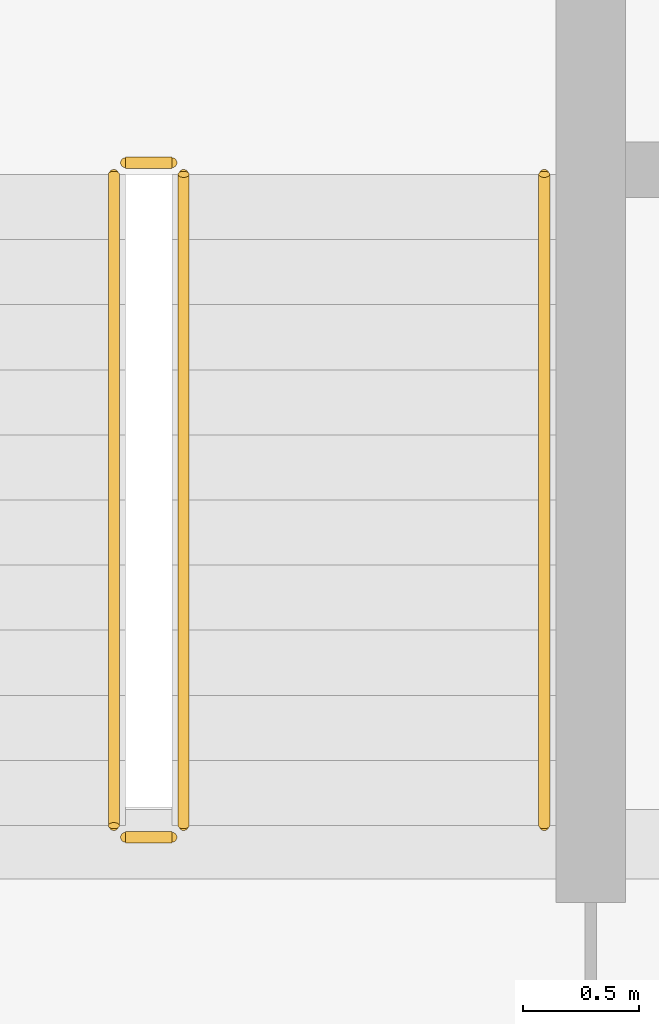
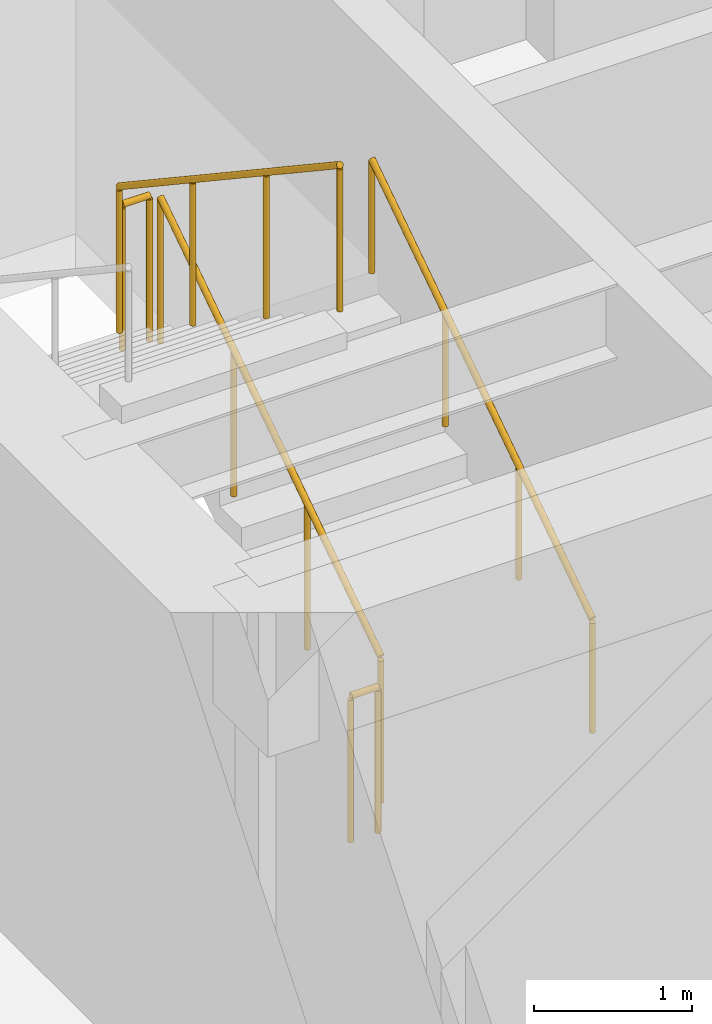
# One storey, part 35 of 37: 5 railings.
"""IFC4 building model written with IfcOpenShell, lengths in metres."""

import ifcopenshell
import ifcopenshell.guid

model = None  # the IFC model being written
_history = None  # IfcOwnerHistory: only IFC2X3 demands one
_inside = {}  # id of a spatial element -> (the spatial element, [elements in it])
_under = {}  # id of a project, library or spatial element -> (it, [spatial elements below it])
_declared = {}  # id of a project -> (the project, [libraries it declares])
_typed = {}  # id of a type object -> (the type object, [elements of that type])
_made_of = {}  # id of a material, layer set ... -> (it, [elements and type objects made of it])


def new_model(schema):
    """Start an empty IFC model of exactly this schema.

    Asked for "IFC4X3", IfcOpenShell would pick the latest addendum, in which some entities
    have other attributes; the version numbers below select the first issue.
    IFC2X3 requires an IfcOwnerHistory on every rooted entity: one is made here for all.
    """
    global model, _history
    if schema == "IFC4X3":
        model = ifcopenshell.file(schema_version=(4, 3, 0, 0))
    else:
        model = ifcopenshell.file(schema=schema)
    _inside.clear()
    _under.clear()
    _declared.clear()
    _typed.clear()
    _made_of.clear()
    _history = None
    if model.schema == "IFC2X3":
        org = make("IfcOrganization", Name="unknown")
        user = make(
            "IfcPersonAndOrganization",
            ThePerson=make("IfcPerson", FamilyName="unknown"),
            TheOrganization=org,
        )
        app = make(
            "IfcApplication",
            ApplicationDeveloper=org,
            Version="unknown",
            ApplicationFullName="unknown",
            ApplicationIdentifier="unknown",
        )
        _history = make(
            "IfcOwnerHistory",
            OwningUser=user,
            OwningApplication=app,
            ChangeAction="ADDED",
            CreationDate=0,
        )
    return model


def make(cls, **values):
    """One entity of the class cls with the attributes given. An attribute that is None is left unset."""
    return model.create_entity(
        cls, **{name: value for name, value in values.items() if value is not None}
    )


def rooted(cls, **values):
    """An entity with a GlobalId (a new one), such as an element, a storey or a relation."""
    return make(cls, GlobalId=ifcopenshell.guid.new(), OwnerHistory=_history, **values)


def si_unit(unit_type, name, prefix=None):
    """IfcSIUnit, for example si_unit("LENGTHUNIT", "METRE", prefix="MILLI")."""
    return make("IfcSIUnit", UnitType=unit_type, Prefix=prefix, Name=name)


def assignment(units):
    """IfcUnitAssignment: the units of a project."""
    return None if units is None else make("IfcUnitAssignment", Units=units)


def point(xyz):
    """IfcCartesianPoint."""
    return None if xyz is None else make("IfcCartesianPoint", Coordinates=xyz)


def direction(xyz):
    """IfcDirection."""
    return None if xyz is None else make("IfcDirection", DirectionRatios=xyz)


def frame(location, z_axis=None, x_axis=None):
    """IfcAxis2Placement3D, a coordinate frame: its origin and axes. An axis left out is left unset."""
    return make(
        "IfcAxis2Placement3D",
        Location=point(location),
        Axis=direction(z_axis),
        RefDirection=direction(x_axis),
    )


def frame_2d(location, x_axis=None):
    """IfcAxis2Placement2D, a coordinate frame in the plane: its origin and x axis."""
    return make(
        "IfcAxis2Placement2D", Location=point(location), RefDirection=direction(x_axis)
    )


def origin():
    """The frame at (0, 0, 0) with its axes left unset."""
    return frame((0.0, 0.0, 0.0))


def origin_2d():
    """The frame at (0, 0) in the plane with its x axis left unset."""
    return frame_2d((0.0, 0.0))


def place(relative_to, where):
    """IfcLocalPlacement: puts the frame where relative to a parent placement (None: the world)."""
    return make(
        "IfcLocalPlacement", PlacementRelTo=relative_to, RelativePlacement=where
    )


def context(
    kind, dimensions, precision=None, world=None, true_north=None, identifier=None
):
    """IfcGeometricRepresentationContext, for example the 3D "Model" context."""
    return make(
        "IfcGeometricRepresentationContext",
        ContextIdentifier=identifier,
        ContextType=kind,
        CoordinateSpaceDimension=dimensions,
        Precision=precision,
        WorldCoordinateSystem=world,
        TrueNorth=true_north,
    )


def subcontext(parent, identifier, kind, view, scale=None):
    """IfcGeometricRepresentationSubContext, for example "Body" below "Model"."""
    return make(
        "IfcGeometricRepresentationSubContext",
        ContextIdentifier=identifier,
        ContextType=kind,
        ParentContext=parent,
        TargetScale=scale,
        TargetView=view,
    )


def project(units=None, contexts=None):
    """IfcProject with its units and contexts."""
    return rooted(
        "IfcProject",
        Name="project",
        RepresentationContexts=contexts,
        UnitsInContext=assignment(units),
    )


def spatial(cls, under=None, at=None, **own):
    """A site, building, storey or space (cls), placed at a placement, below another one or the project."""
    s = rooted(cls, ObjectPlacement=at, **own)
    if under is not None:
        _under.setdefault(under.id(), (under, []))[1].append(s)
    return s


def profile(cls, at=None, kind="AREA", **sizes):
    """A parametric profile (cls). Its sizes go by their IFC names, for example OverallWidth=200.0."""
    return make(cls, ProfileType=kind, Position=at, **sizes)


def circle(**sizes):
    """IfcCircleProfileDef."""
    return profile("IfcCircleProfileDef", **sizes)


def extrude(swept, where, along, depth):
    """IfcExtrudedAreaSolid: the profile swept, set in the frame where, extruded along a direction by depth."""
    return make(
        "IfcExtrudedAreaSolid",
        SweptArea=swept,
        Position=where,
        ExtrudedDirection=direction(along),
        Depth=depth,
    )


def shape(context_of_items, identifier, shape_type, items):
    """IfcShapeRepresentation: the items that make up one representation, for example the "Body"."""
    return make(
        "IfcShapeRepresentation",
        ContextOfItems=context_of_items,
        RepresentationIdentifier=identifier,
        RepresentationType=shape_type,
        Items=items,
    )


def source(mapping_origin, context_of_items, identifier, shape_type, items):
    """IfcRepresentationMap: a shape defined once, which mapped items show again and again."""
    return make(
        "IfcRepresentationMap",
        MappingOrigin=mapping_origin,
        MappedRepresentation=shape(context_of_items, identifier, shape_type, items),
    )


def transform(
    local_origin,
    x_axis=None,
    y_axis=None,
    z_axis=None,
    scale=None,
    scale2=None,
    scale3=None,
    uniform=True,
):
    """IfcCartesianTransformationOperator3D, or its non-uniform kind. x_axis, y_axis, z_axis: its Axis1, 2, 3."""
    if uniform:
        return make(
            "IfcCartesianTransformationOperator3D",
            Axis1=direction(x_axis),
            Axis2=direction(y_axis),
            LocalOrigin=point(local_origin),
            Scale=scale,
            Axis3=direction(z_axis),
        )
    return make(
        "IfcCartesianTransformationOperator3DnonUniform",
        Axis1=direction(x_axis),
        Axis2=direction(y_axis),
        LocalOrigin=point(local_origin),
        Scale=scale,
        Axis3=direction(z_axis),
        Scale2=scale2,
        Scale3=scale3,
    )


def mapped(mapping_source, mapping_target):
    """IfcMappedItem: shows the shape of a source again, moved by a transform."""
    return make(
        "IfcMappedItem", MappingSource=mapping_source, MappingTarget=mapping_target
    )


def material(Name=None, Category=None):
    """IfcMaterial."""
    return make("IfcMaterial", Name=Name, Category=Category)


def made_of(thing, what):
    """Note that an element or type object is made of a material, layer set ...; save() writes the relation."""
    if what is not None:
        _made_of.setdefault(what.id(), (what, []))[1].append(thing)
    return thing


def type_object(cls, material=None, **own):
    """A type object (cls), such as IfcWallType, which elements share."""
    return made_of(rooted(cls, **own), material)


def type_shapes(of_type, sources):
    """Give a type object the sources (RepresentationMaps) that its elements show as mapped items."""
    of_type.RepresentationMaps = sources


def element(
    cls,
    number,
    at=None,
    inside=None,
    cuts=None,
    type_object=None,
    material=None,
    context=None,
    identifier="Body",
    shape_type=None,
    held_by="IfcProductDefinitionShape",
    body=None,
    shapes=None,
    **own,
):
    """One element of the class cls, such as IfcWall. Its Tag is "e" and its number.

    at: its placement. inside: the storey or other place that contains it. cuts: it is an
    opening in that element (IfcRelVoidsElement). A single representation is given by context,
    identifier, shape_type and body (its items); several are given by shapes. held_by: the class
    of the entity that holds the representations. save() writes the other relations.
    """
    e = rooted(cls, Tag="e%d" % number, ObjectPlacement=at, **own)
    if body is not None:
        shapes = [shape(context, identifier, shape_type, body)]
    if shapes is not None:
        e.Representation = make(held_by, Representations=shapes)
    if inside is not None:
        _inside.setdefault(inside.id(), (inside, []))[1].append(e)
    if cuts is not None:
        rooted(
            "IfcRelVoidsElement", RelatingBuildingElement=cuts, RelatedOpeningElement=e
        )
    if type_object is not None:
        _typed.setdefault(type_object.id(), (type_object, []))[1].append(e)
    return made_of(e, material)


def aggregate(whole, parts):
    """IfcRelAggregates: a whole, such as a stair, and the parts it consists of."""
    return rooted("IfcRelAggregates", RelatingObject=whole, RelatedObjects=parts)


def save(model, path):
    """Write the relations noted so far, then the file.

    IfcRelAggregates (storeys below a building ...), IfcRelContainedInSpatialStructure (elements
    in a storey), IfcRelDefinesByType, IfcRelAssociatesMaterial and IfcRelDeclares: one each for
    every whole, place, type object, material and project.
    """
    for whole, parts in _under.values():
        aggregate(whole, parts)
    for where, things in _inside.values():
        rooted(
            "IfcRelContainedInSpatialStructure",
            RelatedElements=things,
            RelatingStructure=where,
        )
    for kind, things in _typed.values():
        rooted("IfcRelDefinesByType", RelatedObjects=things, RelatingType=kind)
    for what, things in _made_of.values():
        rooted("IfcRelAssociatesMaterial", RelatedObjects=things, RelatingMaterial=what)
    for by, libraries in _declared.values():
        rooted("IfcRelDeclares", RelatingContext=by, RelatedDefinitions=libraries)
    model.write(path)


model = new_model("IFC4")

# Units and contexts
model_context = context("Model", 3, precision=1e-05, world=origin(), true_north=direction((0.0, 1.0)))
body_context = subcontext(model_context, "Body", "Model", "MODEL_VIEW")
ifc_project = project(units=[si_unit("LENGTHUNIT", "METRE"), si_unit("AREAUNIT", "SQUARE_METRE"), si_unit("VOLUMEUNIT", "CUBIC_METRE"), si_unit("PLANEANGLEUNIT", "RADIAN"), si_unit("MASSUNIT", "GRAM", prefix="KILO")], contexts=[model_context])

# Site, building, storey
site_placement = place(None, origin())
site = spatial("IfcSite", under=ifc_project, at=site_placement, CompositionType="ELEMENT")
building_placement = place(site_placement, origin())
building = spatial("IfcBuilding", under=site, at=building_placement, Name="Haelvirn Gate Laboratories", CompositionType="ELEMENT")
storey_placement = place(building_placement, frame((0.0, 0.0, 74.39990234375)))
storey = spatial("IfcBuildingStorey", under=building, at=storey_placement, Name="L18", CompositionType="ELEMENT", Elevation=74.39990234375)

# Railings
ifc_material_1 = material(Name="Galvanised steel SM355 & stainless top rail", Category="steel")
railing_type_1 = type_object("IfcRailingType", Name="RL-GUARD-1150", PredefinedType="GUARDRAIL", material=ifc_material_1)
shared_shape_1 = source(origin(), body_context, "Body", "SweptSolid", [
    extrude(circle(Radius=0.02392578125, at=origin_2d()), frame((0.0, 0.0, 1.1259765625), z_axis=(-1.0, 0.0, 0.0), x_axis=(0.0, -1.0, 0.0)), (0.0, 0.0, 1.0), 0.199951171875),
    extrude(circle(Radius=0.02099609375, at=origin_2d()), origin(), (0.0, 0.0, 1.0), 1.101806640625),
    extrude(circle(Radius=0.02099609375, at=origin_2d()), frame((-0.199951171875, 0.0, 0.0)), (0.0, 0.0, 1.0), 1.101806640625),
])
for number, where, name in (
    (1, (9.64990234375, 29.550048828125, 2.050048828125), "L18 ST1 stair guard 2"),
    (2, (9.64990234375, 26.64990234375, 0.0), "L18 ST1 stair guard 4"),
):
    element("IfcRailing", number, at=place(storey_placement, frame(where)), inside=storey, type_object=railing_type_1, Name=name, PredefinedType="GUARDRAIL", context=body_context, shape_type="MappedRepresentation", body=[
        mapped(shared_shape_1, transform((0.0, 0.0, 0.0), scale=1.0)),
    ])
shared_shape_2 = source(origin(), body_context, "Body", "SweptSolid", [
    extrude(circle(Radius=0.02392578125, at=origin_2d()), frame((0.0, 0.0, 1.1259765625), z_axis=(0.0, 0.832485552168, 0.554046753832), x_axis=(-1.0, 0.0, 0.0)), (0.0, 0.0, 1.0), 3.363525390625),
    extrude(circle(Radius=0.02099609375, at=origin_2d()), origin(), (0.0, 0.0, 1.0), 1.101806640625),
    extrude(circle(Radius=0.02099609375, at=origin_2d()), frame((0.0, 0.933349609375, 0.62109375)), (0.0, 0.0, 1.0), 1.101806640625),
    extrude(circle(Radius=0.02099609375, at=origin_2d()), frame((0.0, 1.86669921875, 1.242431640625)), (0.0, 0.0, 1.0), 1.101806640625),
    extrude(circle(Radius=0.02099609375, at=origin_2d()), frame((0.0, 2.800048828125, 1.863525390625)), (0.0, 0.0, 1.0), 1.101806640625),
])
railing_1_placement = place(storey_placement, frame((9.699951171875, 26.699951171875, 0.1865234375)))
element("IfcRailing", 3, at=railing_1_placement, inside=storey, type_object=railing_type_1, Name="L18 ST1 stair guard 1", PredefinedType="GUARDRAIL", context=body_context, shape_type="MappedRepresentation", body=[
    mapped(shared_shape_2, transform((0.0, 0.0, 0.0), scale=1.0)),
])
ifc_material_2 = material(Name="Brushed stainless steel 316L", Category="steel")
railing_type_2 = type_object("IfcRailingType", Name="RL-HAND-920", PredefinedType="HANDRAIL", material=ifc_material_2)
shared_shape_3 = source(origin(), body_context, "Body", "SweptSolid", [
    extrude(circle(Radius=0.02392578125, at=origin_2d()), frame((0.0, 0.0, 0.8759765625), z_axis=(0.0, 0.832485552168, 0.554046753832), x_axis=(-1.0, 0.0, 0.0)), (0.0, 0.0, 1.0), 3.363525390625),
    extrude(circle(Radius=0.02099609375, at=origin_2d()), origin(), (0.0, 0.0, 1.0), 0.851806640625),
    extrude(circle(Radius=0.02099609375, at=origin_2d()), frame((0.0, 0.933349609375, 0.62109375)), (0.0, 0.0, 1.0), 0.851806640625),
    extrude(circle(Radius=0.02099609375, at=origin_2d()), frame((0.0, 1.86669921875, 1.242431640625)), (0.0, 0.0, 1.0), 0.851806640625),
    extrude(circle(Radius=0.02099609375, at=origin_2d()), frame((0.0, 2.800048828125, 1.863525390625)), (0.0, 0.0, 1.0), 0.851806640625),
])
type_shapes(railing_type_2, [shared_shape_3])
railing_2_placement = place(storey_placement, frame((11.25, 26.699951171875, 0.1865234375)))
element("IfcRailing", 4, at=railing_2_placement, inside=storey, type_object=railing_type_2, Name="L18 ST1 stair handrail 1", PredefinedType="HANDRAIL", context=body_context, shape_type="MappedRepresentation", body=[
    mapped(shared_shape_3, transform((0.0, 0.0, 0.0), scale=1.0)),
])
shared_shape_4 = source(origin(), body_context, "Body", "SweptSolid", [
    extrude(circle(Radius=0.02392578125, at=origin_2d()), frame((0.0, 0.0, 1.1259765625), z_axis=(0.0, -0.832485552168, 0.554046753832), x_axis=(1.0, 0.0, 0.0)), (0.0, 0.0, 1.0), 3.363525390625),
    extrude(circle(Radius=0.02099609375, at=origin_2d()), origin(), (0.0, 0.0, 1.0), 1.101806640625),
    extrude(circle(Radius=0.02099609375, at=origin_2d()), frame((0.0, -0.933349609375, 0.62109375)), (0.0, 0.0, 1.0), 1.101806640625),
    extrude(circle(Radius=0.02099609375, at=origin_2d()), frame((0.0, -1.86669921875, 1.242431640625)), (0.0, 0.0, 1.0), 1.101806640625),
    extrude(circle(Radius=0.02099609375, at=origin_2d()), frame((0.0, -2.800048828125, 1.863525390625)), (0.0, 0.0, 1.0), 1.101806640625),
])
type_shapes(railing_type_1, [shared_shape_1, shared_shape_2, shared_shape_4])
railing_3_placement = place(storey_placement, frame((9.39990234375, 29.5, 2.236572265625)))
element("IfcRailing", 5, at=railing_3_placement, inside=storey, type_object=railing_type_1, Name="L18 ST1 stair guard 3", PredefinedType="GUARDRAIL", context=body_context, shape_type="MappedRepresentation", body=[
    mapped(shared_shape_4, transform((0.0, 0.0, 0.0), scale=1.0)),
])

save(model, "model.ifc")
